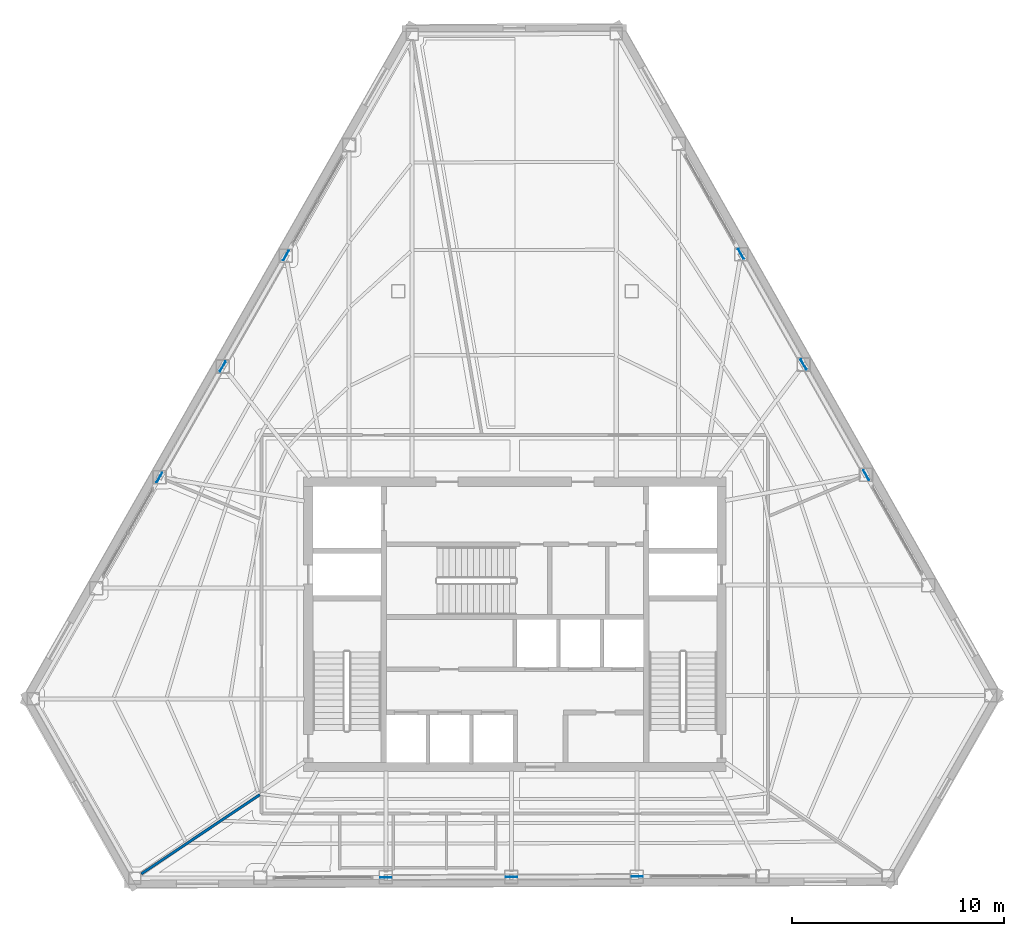
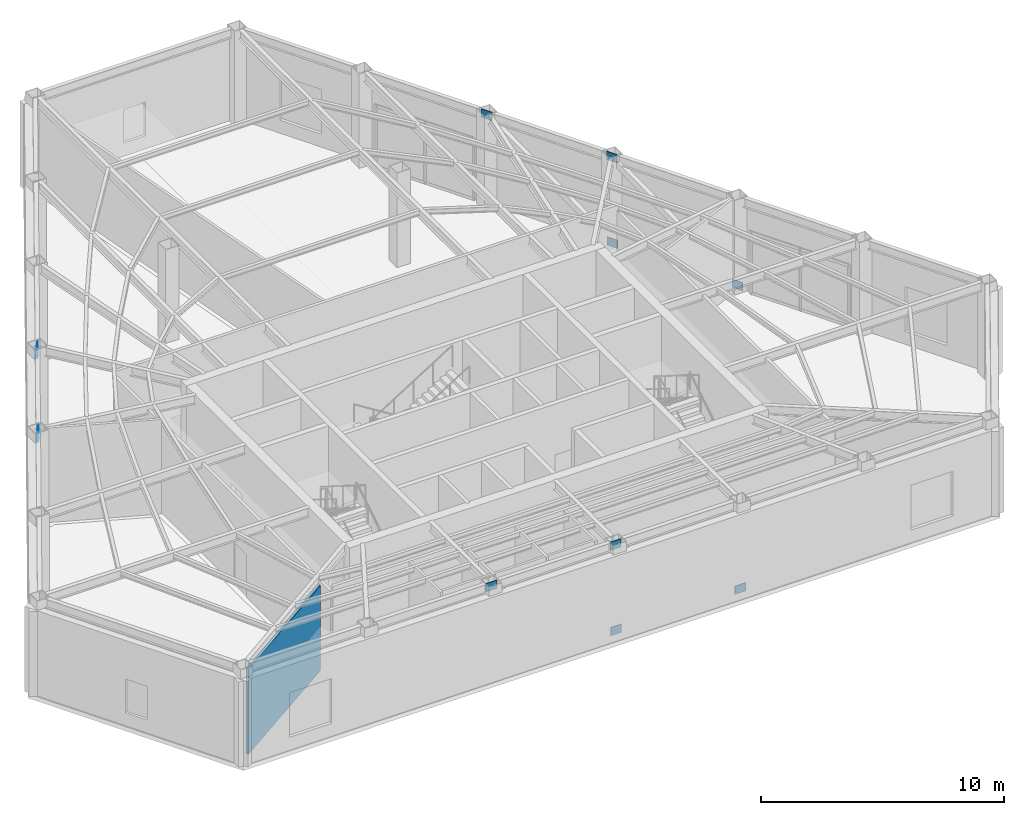
# One storey, part 9 of 14: 12 plates, 1 wall.
"""IFC4 building model written with IfcOpenShell, lengths in metres."""

from ifc_helpers import new_model, si_unit, direction, frame, frame_2d, origin, origin_2d, place, context, subcontext, project, spatial, rectangle, extrude, material, layer, layer_set, type_object, element, save


model = new_model("IFC4")

# Units and contexts
model_context = context("Model", 3, precision=1e-05, world=origin(), true_north=direction((0.0, 1.0)))
body_context = subcontext(model_context, "Body", "Model", "MODEL_VIEW")
ifc_project = project(units=[si_unit("LENGTHUNIT", "METRE"), si_unit("AREAUNIT", "SQUARE_METRE"), si_unit("VOLUMEUNIT", "CUBIC_METRE"), si_unit("PLANEANGLEUNIT", "RADIAN"), si_unit("MASSUNIT", "GRAM", prefix="KILO")], contexts=[model_context])

# Site, building, storey
site_placement = place(None, origin())
site = spatial("IfcSite", under=ifc_project, at=site_placement, CompositionType="ELEMENT")
building_placement = place(site_placement, origin())
building = spatial("IfcBuilding", under=site, at=building_placement, Name="Kavelnor Concourse Tower", CompositionType="ELEMENT")
storey_placement = place(building_placement, frame((0.0, 0.0, 160.0)))
storey = spatial("IfcBuildingStorey", under=building, at=storey_placement, Name="L40", CompositionType="ELEMENT", Elevation=160.0)

# Plates
ifc_material_1 = material(Name="Steel Grade 350", Category="steel")
ifc_layer_1 = layer(ifc_material_1, 0.031982421875, Name="Steel Grade 350")
ifc_layer_set_1 = layer_set([ifc_layer_1], Name="Steel Grade 350")
plate_type = type_object("IfcPlateType", Name="PL-GUSSET-TUBE-Z1", PredefinedType="USERDEFINED", material=ifc_layer_set_1)
for number, where, z_axis, x_axis, name in (
    (1, (27.21240234375, 33.485107421875, 0.010009765625), (0.0, 0.0, 1.0), (-0.495458668432, -0.868631514438, 0.0), "L40 Tube Brace Gusset GP3 F0-B2 End Gusset A"),
    (2, (24.222900390625, 28.243408203125, 4.31005859375), (0.0, 0.0, 1.0), (-0.495458668432, -0.868631514438, 0.0), "L40 Tube Brace Gusset GP3 F0-B2 End Gusset B"),
    (3, (24.234619140625, 28.26416015625, 0.010009765625), (0.0, 0.0, 1.0), (-0.495458668432, -0.868631514438, 0.0), "L40 Tube Brace Gusset GP3 F0-B3 End Gusset A"),
    (4, (21.245361328125, 23.022216796875, 4.31005859375), (0.0, 0.0, 1.0), (-0.495458668432, -0.868631514438, 0.0), "L40 Tube Brace Gusset GP3 F0-B3 End Gusset B"),
    (5, (37.84716796875, 4.193603515625, 0.010009765625), (0.0, 0.0, 1.0), (-0.999994501661, -0.003316119501, 0.0), "L40 Tube Brace Gusset GP3 F1-B2 End Gusset A"),
    (6, (31.9052734375, 4.173583984375, 4.31005859375), (0.0, 0.0, 1.0), (-0.999994501661, -0.003316119501, 0.0), "L40 Tube Brace Gusset GP3 F1-B2 End Gusset B"),
    (7, (43.764892578125, 4.21337890625, 0.010009765625), (0.0, 0.0, 1.0), (-0.999994501661, -0.003316119501, 0.0), "L40 Tube Brace Gusset GP3 F1-B3 End Gusset A"),
    (8, (37.822998046875, 4.193603515625, 4.31005859375), (0.0, 0.0, 1.0), (-0.999994501661, -0.003316119501, 0.0), "L40 Tube Brace Gusset GP3 F1-B3 End Gusset B"),
    (9, (54.5546875, 23.138427734375, 0.010009765625), (0.0, 0.0, 1.0), (-0.492423560103, 0.87035569594, 0.0), "L40 Tube Brace Gusset GP3 F2-B2 End Gusset A"),
    (10, (51.600341796875, 28.359130859375, 4.31005859375), (0.0, 0.0, 1.0), (-0.492423560103, 0.87035569594, 0.0), "L40 Tube Brace Gusset GP3 F2-B2 End Gusset B"),
    (11, (51.6123046875, 28.33837890625, 0.010009765625), (0.0, 0.0, 1.0), (-0.492423560103, 0.87035569594, 0.0), "L40 Tube Brace Gusset GP3 F2-B3 End Gusset A"),
    (12, (48.657958984375, 33.559326171875, 4.31005859375), (0.0, 0.0, 1.0), (-0.492423560103, 0.87035569594, 0.0), "L40 Tube Brace Gusset GP3 F2-B3 End Gusset B"),
):
    element("IfcPlate", number, at=place(storey_placement, frame(where, z_axis=z_axis, x_axis=x_axis)), inside=storey, type_object=plate_type, Name=name, ObjectType="GUSSET_PLATE", PredefinedType="USERDEFINED", context=body_context, shape_type="SweptSolid", body=[
        extrude(rectangle(XDim=0.52001953125, YDim=0.031982421875, at=origin_2d()), origin(), (0.0, 0.0, 1.0), 0.419921875),
    ])

# Wall
ifc_material_2 = material(Name="Gypsum plasterboard on light-gauge steel studs", Category="steel")
ifc_layer_2 = layer(ifc_material_2, 0.125, Name="Gypsum plasterboard on light-gauge steel studs")
ifc_layer_set_2 = layer_set([ifc_layer_2], Name="Gypsum plasterboard on light-gauge steel studs")
wall_type = type_object("IfcWallType", Name="WL-INT-SUITE-125", PredefinedType="PARTITIONING", material=ifc_layer_set_2)
wall_placement = place(storey_placement, frame((25.9794921875, 8.072509765625, 0.0), z_axis=(0.0, 0.0, 1.0), x_axis=(-0.831608608725, -0.55536215382, 0.0)))
element("IfcWall", 13, at=wall_placement, inside=storey, type_object=wall_type, Name="L40 Radial Suite Partition 04", PredefinedType="PARTITIONING", context=body_context, shape_type="SweptSolid", body=[
    extrude(rectangle(XDim=6.721923828125, YDim=0.125, at=frame_2d((3.36083984375, 0.0))), origin(), (0.0, 0.0, 1.0), 4.291015625),
])

save(model, "model.ifc")
